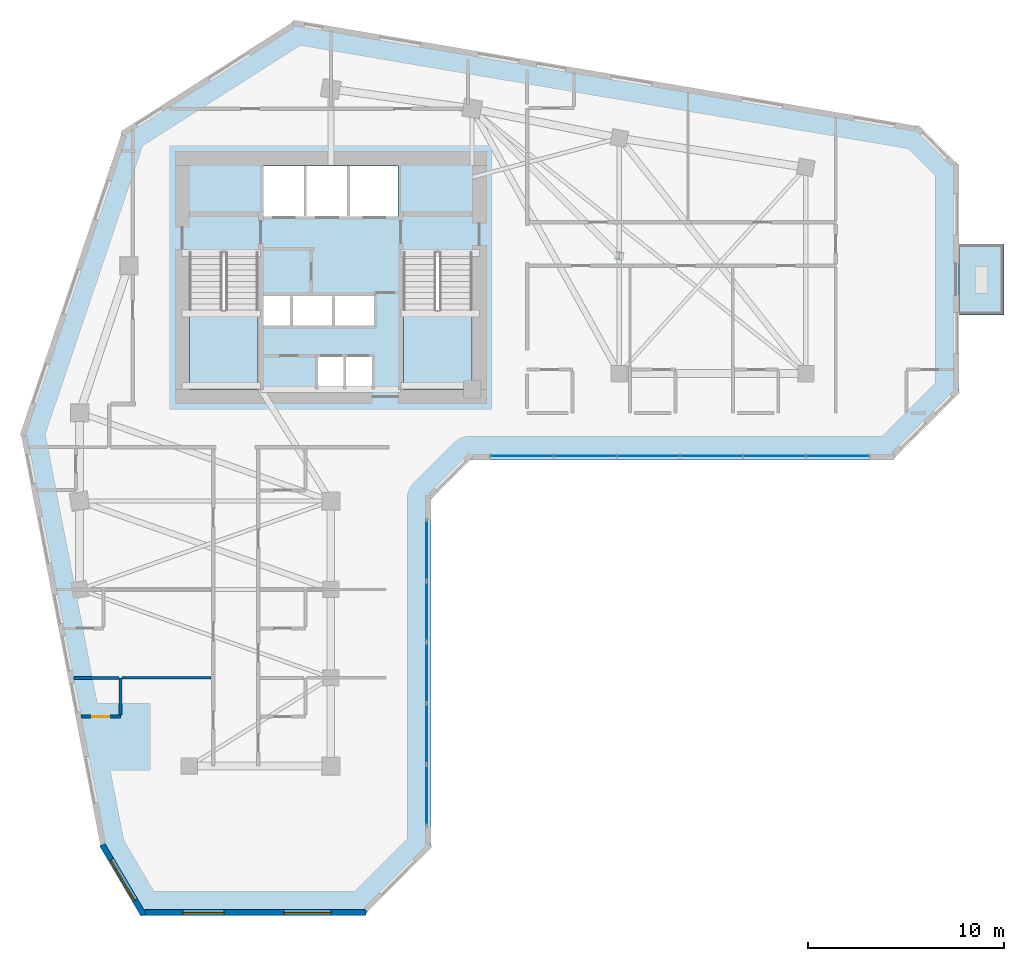
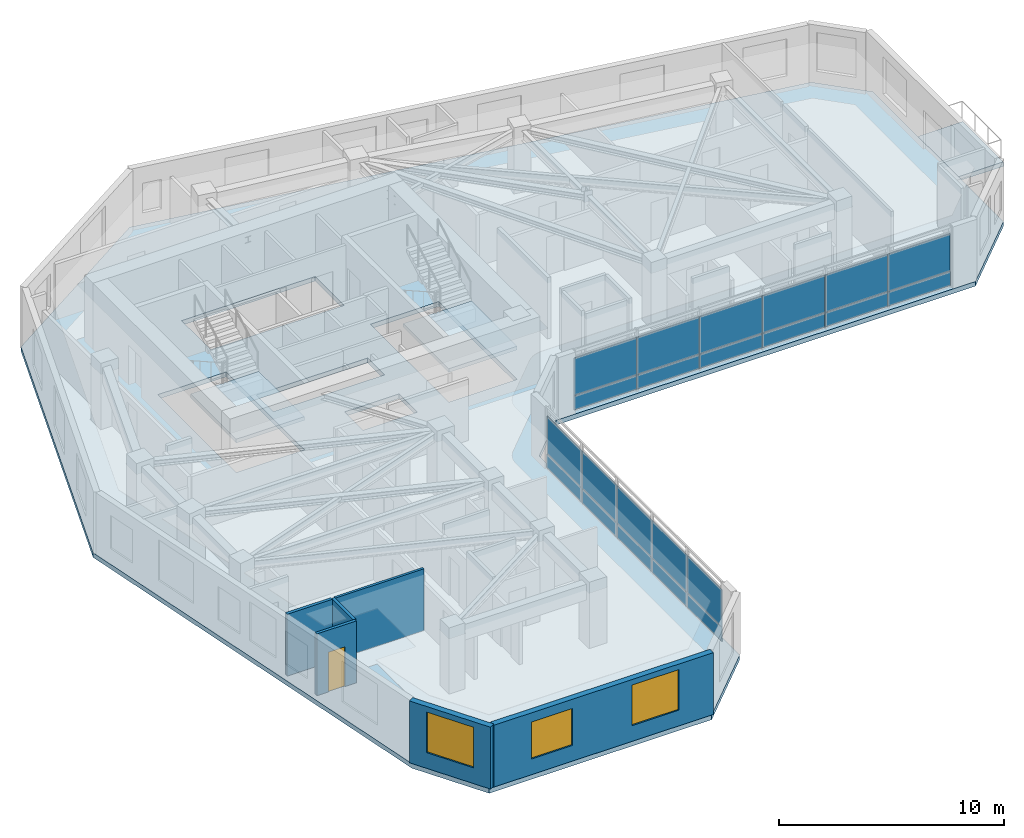
# One storey, part 4 of 14: 22 plates, 6 walls, 4 slabs, 3 windows, 1 door, 4 openings, 4 elements without a shape of their own.
"""IFC4 building model written with IfcOpenShell, lengths in metres."""

import ifcopenshell
import ifcopenshell.guid

model = None  # the IFC model being written
_history = None  # IfcOwnerHistory: only IFC2X3 demands one
_inside = {}  # id of a spatial element -> (the spatial element, [elements in it])
_under = {}  # id of a project, library or spatial element -> (it, [spatial elements below it])
_declared = {}  # id of a project -> (the project, [libraries it declares])
_typed = {}  # id of a type object -> (the type object, [elements of that type])
_made_of = {}  # id of a material, layer set ... -> (it, [elements and type objects made of it])


def new_model(schema):
    """Start an empty IFC model of exactly this schema.

    Asked for "IFC4X3", IfcOpenShell would pick the latest addendum, in which some entities
    have other attributes; the version numbers below select the first issue.
    IFC2X3 requires an IfcOwnerHistory on every rooted entity: one is made here for all.
    """
    global model, _history
    if schema == "IFC4X3":
        model = ifcopenshell.file(schema_version=(4, 3, 0, 0))
    else:
        model = ifcopenshell.file(schema=schema)
    _inside.clear()
    _under.clear()
    _declared.clear()
    _typed.clear()
    _made_of.clear()
    _history = None
    if model.schema == "IFC2X3":
        org = make("IfcOrganization", Name="unknown")
        user = make(
            "IfcPersonAndOrganization",
            ThePerson=make("IfcPerson", FamilyName="unknown"),
            TheOrganization=org,
        )
        app = make(
            "IfcApplication",
            ApplicationDeveloper=org,
            Version="unknown",
            ApplicationFullName="unknown",
            ApplicationIdentifier="unknown",
        )
        _history = make(
            "IfcOwnerHistory",
            OwningUser=user,
            OwningApplication=app,
            ChangeAction="ADDED",
            CreationDate=0,
        )
    return model


def make(cls, **values):
    """One entity of the class cls with the attributes given. An attribute that is None is left unset."""
    return model.create_entity(
        cls, **{name: value for name, value in values.items() if value is not None}
    )


def rooted(cls, **values):
    """An entity with a GlobalId (a new one), such as an element, a storey or a relation."""
    return make(cls, GlobalId=ifcopenshell.guid.new(), OwnerHistory=_history, **values)


def si_unit(unit_type, name, prefix=None):
    """IfcSIUnit, for example si_unit("LENGTHUNIT", "METRE", prefix="MILLI")."""
    return make("IfcSIUnit", UnitType=unit_type, Prefix=prefix, Name=name)


def assignment(units):
    """IfcUnitAssignment: the units of a project."""
    return None if units is None else make("IfcUnitAssignment", Units=units)


def point(xyz):
    """IfcCartesianPoint."""
    return None if xyz is None else make("IfcCartesianPoint", Coordinates=xyz)


def direction(xyz):
    """IfcDirection."""
    return None if xyz is None else make("IfcDirection", DirectionRatios=xyz)


def frame(location, z_axis=None, x_axis=None):
    """IfcAxis2Placement3D, a coordinate frame: its origin and axes. An axis left out is left unset."""
    return make(
        "IfcAxis2Placement3D",
        Location=point(location),
        Axis=direction(z_axis),
        RefDirection=direction(x_axis),
    )


def frame_2d(location, x_axis=None):
    """IfcAxis2Placement2D, a coordinate frame in the plane: its origin and x axis."""
    return make(
        "IfcAxis2Placement2D", Location=point(location), RefDirection=direction(x_axis)
    )


def origin():
    """The frame at (0, 0, 0) with its axes left unset."""
    return frame((0.0, 0.0, 0.0))


def place(relative_to, where):
    """IfcLocalPlacement: puts the frame where relative to a parent placement (None: the world)."""
    return make(
        "IfcLocalPlacement", PlacementRelTo=relative_to, RelativePlacement=where
    )


def context(
    kind, dimensions, precision=None, world=None, true_north=None, identifier=None
):
    """IfcGeometricRepresentationContext, for example the 3D "Model" context."""
    return make(
        "IfcGeometricRepresentationContext",
        ContextIdentifier=identifier,
        ContextType=kind,
        CoordinateSpaceDimension=dimensions,
        Precision=precision,
        WorldCoordinateSystem=world,
        TrueNorth=true_north,
    )


def subcontext(parent, identifier, kind, view, scale=None):
    """IfcGeometricRepresentationSubContext, for example "Body" below "Model"."""
    return make(
        "IfcGeometricRepresentationSubContext",
        ContextIdentifier=identifier,
        ContextType=kind,
        ParentContext=parent,
        TargetScale=scale,
        TargetView=view,
    )


def project(units=None, contexts=None):
    """IfcProject with its units and contexts."""
    return rooted(
        "IfcProject",
        Name="project",
        RepresentationContexts=contexts,
        UnitsInContext=assignment(units),
    )


def spatial(cls, under=None, at=None, **own):
    """A site, building, storey or space (cls), placed at a placement, below another one or the project."""
    s = rooted(cls, ObjectPlacement=at, **own)
    if under is not None:
        _under.setdefault(under.id(), (under, []))[1].append(s)
    return s


def polyline(points):
    """IfcPolyline through the points."""
    return make("IfcPolyline", Points=[point(p) for p in points])


def profile(cls, at=None, kind="AREA", **sizes):
    """A parametric profile (cls). Its sizes go by their IFC names, for example OverallWidth=200.0."""
    return make(cls, ProfileType=kind, Position=at, **sizes)


def rectangle(**sizes):
    """IfcRectangleProfileDef."""
    return profile("IfcRectangleProfileDef", **sizes)


def outline(outer, holes=None, kind="AREA"):
    """IfcArbitraryClosedProfileDef: a profile drawn as a closed curve; with holes, ...WithVoids."""
    if holes is None:
        return make("IfcArbitraryClosedProfileDef", ProfileType=kind, OuterCurve=outer)
    return make(
        "IfcArbitraryProfileDefWithVoids",
        ProfileType=kind,
        OuterCurve=outer,
        InnerCurves=holes,
    )


def extrude(swept, where, along, depth):
    """IfcExtrudedAreaSolid: the profile swept, set in the frame where, extruded along a direction by depth."""
    return make(
        "IfcExtrudedAreaSolid",
        SweptArea=swept,
        Position=where,
        ExtrudedDirection=direction(along),
        Depth=depth,
    )


def shape(context_of_items, identifier, shape_type, items):
    """IfcShapeRepresentation: the items that make up one representation, for example the "Body"."""
    return make(
        "IfcShapeRepresentation",
        ContextOfItems=context_of_items,
        RepresentationIdentifier=identifier,
        RepresentationType=shape_type,
        Items=items,
    )


def source(mapping_origin, context_of_items, identifier, shape_type, items):
    """IfcRepresentationMap: a shape defined once, which mapped items show again and again."""
    return make(
        "IfcRepresentationMap",
        MappingOrigin=mapping_origin,
        MappedRepresentation=shape(context_of_items, identifier, shape_type, items),
    )


def transform(
    local_origin,
    x_axis=None,
    y_axis=None,
    z_axis=None,
    scale=None,
    scale2=None,
    scale3=None,
    uniform=True,
):
    """IfcCartesianTransformationOperator3D, or its non-uniform kind. x_axis, y_axis, z_axis: its Axis1, 2, 3."""
    if uniform:
        return make(
            "IfcCartesianTransformationOperator3D",
            Axis1=direction(x_axis),
            Axis2=direction(y_axis),
            LocalOrigin=point(local_origin),
            Scale=scale,
            Axis3=direction(z_axis),
        )
    return make(
        "IfcCartesianTransformationOperator3DnonUniform",
        Axis1=direction(x_axis),
        Axis2=direction(y_axis),
        LocalOrigin=point(local_origin),
        Scale=scale,
        Axis3=direction(z_axis),
        Scale2=scale2,
        Scale3=scale3,
    )


def mapped(mapping_source, mapping_target):
    """IfcMappedItem: shows the shape of a source again, moved by a transform."""
    return make(
        "IfcMappedItem", MappingSource=mapping_source, MappingTarget=mapping_target
    )


def material(Name=None, Category=None):
    """IfcMaterial."""
    return make("IfcMaterial", Name=Name, Category=Category)


def layer(
    of_material, thickness, ventilated=None, Name=None, Category=None, Priority=None
):
    """IfcMaterialLayer: one layer of a wall or slab, of a material (None: an air gap)."""
    return make(
        "IfcMaterialLayer",
        Material=of_material,
        LayerThickness=thickness,
        IsVentilated=ventilated,
        Name=Name,
        Category=Category,
        Priority=Priority,
    )


def layer_set(layers, Name=None):
    """IfcMaterialLayerSet."""
    return make("IfcMaterialLayerSet", MaterialLayers=layers, LayerSetName=Name)


def made_of(thing, what):
    """Note that an element or type object is made of a material, layer set ...; save() writes the relation."""
    if what is not None:
        _made_of.setdefault(what.id(), (what, []))[1].append(thing)
    return thing


def type_object(cls, material=None, **own):
    """A type object (cls), such as IfcWallType, which elements share."""
    return made_of(rooted(cls, **own), material)


def element(
    cls,
    number,
    at=None,
    inside=None,
    cuts=None,
    type_object=None,
    material=None,
    context=None,
    identifier="Body",
    shape_type=None,
    held_by="IfcProductDefinitionShape",
    body=None,
    shapes=None,
    **own,
):
    """One element of the class cls, such as IfcWall. Its Tag is "e" and its number.

    at: its placement. inside: the storey or other place that contains it. cuts: it is an
    opening in that element (IfcRelVoidsElement). A single representation is given by context,
    identifier, shape_type and body (its items); several are given by shapes. held_by: the class
    of the entity that holds the representations. save() writes the other relations.
    """
    e = rooted(cls, Tag="e%d" % number, ObjectPlacement=at, **own)
    if body is not None:
        shapes = [shape(context, identifier, shape_type, body)]
    if shapes is not None:
        e.Representation = make(held_by, Representations=shapes)
    if inside is not None:
        _inside.setdefault(inside.id(), (inside, []))[1].append(e)
    if cuts is not None:
        rooted(
            "IfcRelVoidsElement", RelatingBuildingElement=cuts, RelatedOpeningElement=e
        )
    if type_object is not None:
        _typed.setdefault(type_object.id(), (type_object, []))[1].append(e)
    return made_of(e, material)


def fill(opening, filler):
    """IfcRelFillsElement: the door or window that sits in an opening."""
    return rooted(
        "IfcRelFillsElement",
        RelatingOpeningElement=opening,
        RelatedBuildingElement=filler,
    )


def aggregate(whole, parts):
    """IfcRelAggregates: a whole, such as a stair, and the parts it consists of."""
    return rooted("IfcRelAggregates", RelatingObject=whole, RelatedObjects=parts)


def save(model, path):
    """Write the relations noted so far, then the file.

    IfcRelAggregates (storeys below a building ...), IfcRelContainedInSpatialStructure (elements
    in a storey), IfcRelDefinesByType, IfcRelAssociatesMaterial and IfcRelDeclares: one each for
    every whole, place, type object, material and project.
    """
    for whole, parts in _under.values():
        aggregate(whole, parts)
    for where, things in _inside.values():
        rooted(
            "IfcRelContainedInSpatialStructure",
            RelatedElements=things,
            RelatingStructure=where,
        )
    for kind, things in _typed.values():
        rooted("IfcRelDefinesByType", RelatedObjects=things, RelatingType=kind)
    for what, things in _made_of.values():
        rooted("IfcRelAssociatesMaterial", RelatedObjects=things, RelatingMaterial=what)
    for by, libraries in _declared.values():
        rooted("IfcRelDeclares", RelatingContext=by, RelatedDefinitions=libraries)
    model.write(path)


model = new_model("IFC4")

# Units and contexts
model_context = context("Model", 3, precision=1e-05, world=origin(), true_north=direction((0.0, 1.0)))
body_context = subcontext(model_context, "Body", "Model", "MODEL_VIEW")
ifc_project = project(units=[si_unit("LENGTHUNIT", "METRE"), si_unit("AREAUNIT", "SQUARE_METRE"), si_unit("VOLUMEUNIT", "CUBIC_METRE"), si_unit("PLANEANGLEUNIT", "RADIAN"), si_unit("MASSUNIT", "GRAM", prefix="KILO")], contexts=[model_context])

# Site, building, storey
site_placement = place(None, origin())
site = spatial("IfcSite", under=ifc_project, at=site_placement, CompositionType="ELEMENT")
building_placement = place(site_placement, origin())
building = spatial("IfcBuilding", under=site, at=building_placement, Name="Calvemar Wedge Station Tower", CompositionType="ELEMENT")
storey_placement = place(building_placement, frame((0.0, 0.0, 128.60009765625)))
storey = spatial("IfcBuildingStorey", under=building, at=storey_placement, Name="L31", CompositionType="ELEMENT", Elevation=128.60009765625)

# Curtain wall, plates
ifc_material_1 = material(Name="Anodised aluminium 6063-T6", Category="aluminium")
curtain_wall_type = type_object("IfcCurtainWallType", Name="CW2", PredefinedType="NOTDEFINED", material=ifc_material_1)
curtain_wall_1_placement = place(storey_placement, origin())
curtain_wall_1 = element("IfcCurtainWall", 1, at=curtain_wall_1_placement, inside=storey, type_object=curtain_wall_type, Name="Storey L31 CW2 Recessed Unitised Curtain Wall 4", PredefinedType="NOTDEFINED")
ifc_material_2 = material(Name="Low-E laminated insulated glass", Category="glass")
ifc_layer_1 = layer(ifc_material_2, 0.028076171875)
ifc_layer_set_1 = layer_set([ifc_layer_1], Name="Low-E laminated insulated glass")
plate_type_1 = type_object("IfcPlateType", Name="CW2-GLZ", PredefinedType="CURTAIN_PANEL", material=ifc_layer_set_1)
plate_1_placement = place(storey_placement, frame((28.68603515625, 11.97998046875, 0.869873046875), z_axis=(0.0, 0.0, 1.0), x_axis=(0.0, 1.0, 0.0)))
plate_1 = element("IfcPlate", 2, at=plate_1_placement, type_object=plate_type_1, Name="CW2 vision glass panel 1", PredefinedType="CURTAIN_PANEL", context=body_context, shape_type="SweptSolid", body=[
    extrude(rectangle(XDim=3.08251953125, YDim=0.028076171875, at=frame_2d((1.541259765625, 0.0))), origin(), (0.0, 0.0, 1.0), 2.010009765625),
])
plate_2_placement = place(storey_placement, frame((28.68603515625, 15.098388671875, 0.869873046875), z_axis=(0.0, 0.0, 1.0), x_axis=(0.0, 1.0, 0.0)))
plate_2 = element("IfcPlate", 3, at=plate_2_placement, type_object=plate_type_1, Name="CW2 vision glass panel 2", PredefinedType="CURTAIN_PANEL", context=body_context, shape_type="SweptSolid", body=[
    extrude(rectangle(XDim=3.08251953125, YDim=0.028076171875, at=frame_2d((1.541259765625, 0.0))), origin(), (0.0, 0.0, 1.0), 2.010009765625),
])
plate_3_placement = place(storey_placement, frame((28.68603515625, 18.216796875, 0.869873046875), z_axis=(0.0, 0.0, 1.0), x_axis=(0.0, 1.0, 0.0)))
plate_3 = element("IfcPlate", 4, at=plate_3_placement, type_object=plate_type_1, Name="CW2 vision glass panel 3", PredefinedType="CURTAIN_PANEL", context=body_context, shape_type="SweptSolid", body=[
    extrude(rectangle(XDim=3.08251953125, YDim=0.028076171875, at=frame_2d((1.541259765625, 0.0))), origin(), (0.0, 0.0, 1.0), 2.010009765625),
])
plate_4_placement = place(storey_placement, frame((28.68603515625, 21.335205078125, 0.869873046875), z_axis=(0.0, 0.0, 1.0), x_axis=(0.0, 1.0, 0.0)))
plate_4 = element("IfcPlate", 5, at=plate_4_placement, type_object=plate_type_1, Name="CW2 vision glass panel 4", PredefinedType="CURTAIN_PANEL", context=body_context, shape_type="SweptSolid", body=[
    extrude(rectangle(XDim=3.08251953125, YDim=0.028076171875, at=frame_2d((1.541259765625, 0.0))), origin(), (0.0, 0.0, 1.0), 2.010009765625),
])
plate_5_placement = place(storey_placement, frame((28.68603515625, 24.45361328125, 0.869873046875), z_axis=(0.0, 0.0, 1.0), x_axis=(0.0, 1.0, 0.0)))
plate_5 = element("IfcPlate", 6, at=plate_5_placement, type_object=plate_type_1, Name="CW2 vision glass panel 5", PredefinedType="CURTAIN_PANEL", context=body_context, shape_type="SweptSolid", body=[
    extrude(rectangle(XDim=3.08251953125, YDim=0.028076171875, at=frame_2d((1.541259765625, 0.0))), origin(), (0.0, 0.0, 1.0), 2.010009765625),
])

curtain_wall_2_placement = place(storey_placement, origin())
curtain_wall_2 = element("IfcCurtainWall", 7, at=curtain_wall_2_placement, inside=storey, type_object=curtain_wall_type, Name="Storey L31 CW2 Recessed Unitised Curtain Wall 6", PredefinedType="NOTDEFINED")
plate_6_placement = place(storey_placement, frame((31.951904296875, 30.802001953125, 0.869873046875), z_axis=(0.0, 0.0, 1.0), x_axis=(1.0, 0.0, 0.0)))
plate_6 = element("IfcPlate", 8, at=plate_6_placement, type_object=plate_type_1, Name="CW2 vision glass panel 1", PredefinedType="CURTAIN_PANEL", context=body_context, shape_type="SweptSolid", body=[
    extrude(rectangle(XDim=3.181396484375, YDim=0.028076171875, at=frame_2d((1.5908203125, 0.0))), origin(), (0.0, 0.0, 1.0), 2.010009765625),
])
plate_7_placement = place(storey_placement, frame((35.169189453125, 30.802001953125, 0.869873046875), z_axis=(0.0, 0.0, 1.0), x_axis=(1.0, 0.0, 0.0)))
plate_7 = element("IfcPlate", 9, at=plate_7_placement, type_object=plate_type_1, Name="CW2 vision glass panel 2", PredefinedType="CURTAIN_PANEL", context=body_context, shape_type="SweptSolid", body=[
    extrude(rectangle(XDim=3.181396484375, YDim=0.028076171875, at=frame_2d((1.5908203125, 0.0))), origin(), (0.0, 0.0, 1.0), 2.010009765625),
])
plate_8_placement = place(storey_placement, frame((38.38671875, 30.802001953125, 0.869873046875), z_axis=(0.0, 0.0, 1.0), x_axis=(1.0, 0.0, 0.0)))
plate_8 = element("IfcPlate", 10, at=plate_8_placement, type_object=plate_type_1, Name="CW2 vision glass panel 3", PredefinedType="CURTAIN_PANEL", context=body_context, shape_type="SweptSolid", body=[
    extrude(rectangle(XDim=3.18115234375, YDim=0.028076171875, at=frame_2d((1.590576171875, 0.0))), origin(), (0.0, 0.0, 1.0), 2.010009765625),
])
plate_9_placement = place(storey_placement, frame((41.60400390625, 30.802001953125, 0.869873046875), z_axis=(0.0, 0.0, 1.0), x_axis=(1.0, 0.0, 0.0)))
plate_9 = element("IfcPlate", 11, at=plate_9_placement, type_object=plate_type_1, Name="CW2 vision glass panel 4", PredefinedType="CURTAIN_PANEL", context=body_context, shape_type="SweptSolid", body=[
    extrude(rectangle(XDim=3.18115234375, YDim=0.028076171875, at=frame_2d((1.590576171875, 0.0))), origin(), (0.0, 0.0, 1.0), 2.010009765625),
])
plate_10_placement = place(storey_placement, frame((44.8212890625, 30.802001953125, 0.869873046875), z_axis=(0.0, 0.0, 1.0), x_axis=(1.0, 0.0, 0.0)))
plate_10 = element("IfcPlate", 12, at=plate_10_placement, type_object=plate_type_1, Name="CW2 vision glass panel 5", PredefinedType="CURTAIN_PANEL", context=body_context, shape_type="SweptSolid", body=[
    extrude(rectangle(XDim=3.181396484375, YDim=0.028076171875, at=frame_2d((1.5908203125, 0.0))), origin(), (0.0, 0.0, 1.0), 2.010009765625),
])
plate_11_placement = place(storey_placement, frame((48.03857421875, 30.802001953125, 0.869873046875), z_axis=(0.0, 0.0, 1.0), x_axis=(1.0, 0.0, 0.0)))
plate_11 = element("IfcPlate", 13, at=plate_11_placement, type_object=plate_type_1, Name="CW2 vision glass panel 6", PredefinedType="CURTAIN_PANEL", context=body_context, shape_type="SweptSolid", body=[
    extrude(rectangle(XDim=3.181396484375, YDim=0.028076171875, at=frame_2d((1.5908203125, 0.0))), origin(), (0.0, 0.0, 1.0), 2.010009765625),
])

# Plate
ifc_material_3 = material(Name="Oxidized bronze aluminium spandrel panel 5005-H24", Category="aluminium")
ifc_layer_2 = layer(ifc_material_3, 0.0400390625)
ifc_layer_set_2 = layer_set([ifc_layer_2], Name="Oxidized bronze aluminium spandrel panel 5005-H24")
plate_type_2 = type_object("IfcPlateType", Name="CW2-SPD", PredefinedType="SHEET", material=ifc_layer_set_2)
plate_12_placement = place(storey_placement, frame((28.68603515625, 11.97998046875, 0.079833984375), z_axis=(0.0, 0.0, 1.0), x_axis=(0.0, 1.0, 0.0)))
plate_12 = element("IfcPlate", 14, at=plate_12_placement, type_object=plate_type_2, Name="CW2 bronze spandrel panel 1", PredefinedType="SHEET", context=body_context, shape_type="SweptSolid", body=[
    extrude(rectangle(XDim=3.08251953125, YDim=0.0400390625, at=frame_2d((1.541259765625, 0.0))), origin(), (0.0, 0.0, 1.0), 0.75),
])

plate_13_placement = place(storey_placement, frame((28.68603515625, 15.098388671875, 0.079833984375), z_axis=(0.0, 0.0, 1.0), x_axis=(0.0, 1.0, 0.0)))
plate_13 = element("IfcPlate", 15, at=plate_13_placement, type_object=plate_type_2, Name="CW2 bronze spandrel panel 2", PredefinedType="SHEET", context=body_context, shape_type="SweptSolid", body=[
    extrude(rectangle(XDim=3.08251953125, YDim=0.0400390625, at=frame_2d((1.541259765625, 0.0))), origin(), (0.0, 0.0, 1.0), 0.75),
])

plate_14_placement = place(storey_placement, frame((28.68603515625, 18.216796875, 0.079833984375), z_axis=(0.0, 0.0, 1.0), x_axis=(0.0, 1.0, 0.0)))
plate_14 = element("IfcPlate", 16, at=plate_14_placement, type_object=plate_type_2, Name="CW2 bronze spandrel panel 3", PredefinedType="SHEET", context=body_context, shape_type="SweptSolid", body=[
    extrude(rectangle(XDim=3.08251953125, YDim=0.0400390625, at=frame_2d((1.541259765625, 0.0))), origin(), (0.0, 0.0, 1.0), 0.75),
])

plate_15_placement = place(storey_placement, frame((28.68603515625, 21.335205078125, 0.079833984375), z_axis=(0.0, 0.0, 1.0), x_axis=(0.0, 1.0, 0.0)))
plate_15 = element("IfcPlate", 17, at=plate_15_placement, type_object=plate_type_2, Name="CW2 bronze spandrel panel 4", PredefinedType="SHEET", context=body_context, shape_type="SweptSolid", body=[
    extrude(rectangle(XDim=3.08251953125, YDim=0.0400390625, at=frame_2d((1.541259765625, 0.0))), origin(), (0.0, 0.0, 1.0), 0.75),
])

plate_16_placement = place(storey_placement, frame((28.68603515625, 24.45361328125, 0.079833984375), z_axis=(0.0, 0.0, 1.0), x_axis=(0.0, 1.0, 0.0)))
plate_16 = element("IfcPlate", 18, at=plate_16_placement, type_object=plate_type_2, Name="CW2 bronze spandrel panel 5", PredefinedType="SHEET", context=body_context, shape_type="SweptSolid", body=[
    extrude(rectangle(XDim=3.08251953125, YDim=0.0400390625, at=frame_2d((1.541259765625, 0.0))), origin(), (0.0, 0.0, 1.0), 0.75),
])

aggregate(curtain_wall_1, [plate_12, plate_1, plate_13, plate_2, plate_14, plate_3, plate_15, plate_4, plate_16, plate_5])

plate_17_placement = place(storey_placement, frame((31.951904296875, 30.802001953125, 0.079833984375), z_axis=(0.0, 0.0, 1.0), x_axis=(1.0, 0.0, 0.0)))
plate_17 = element("IfcPlate", 19, at=plate_17_placement, type_object=plate_type_2, Name="CW2 bronze spandrel panel 1", PredefinedType="SHEET", context=body_context, shape_type="SweptSolid", body=[
    extrude(rectangle(XDim=3.181396484375, YDim=0.0400390625, at=frame_2d((1.5908203125, 0.0))), origin(), (0.0, 0.0, 1.0), 0.75),
])

plate_18_placement = place(storey_placement, frame((35.169189453125, 30.802001953125, 0.079833984375), z_axis=(0.0, 0.0, 1.0), x_axis=(1.0, 0.0, 0.0)))
plate_18 = element("IfcPlate", 20, at=plate_18_placement, type_object=plate_type_2, Name="CW2 bronze spandrel panel 2", PredefinedType="SHEET", context=body_context, shape_type="SweptSolid", body=[
    extrude(rectangle(XDim=3.181396484375, YDim=0.0400390625, at=frame_2d((1.5908203125, 0.0))), origin(), (0.0, 0.0, 1.0), 0.75),
])

plate_19_placement = place(storey_placement, frame((38.38671875, 30.802001953125, 0.079833984375), z_axis=(0.0, 0.0, 1.0), x_axis=(1.0, 0.0, 0.0)))
plate_19 = element("IfcPlate", 21, at=plate_19_placement, type_object=plate_type_2, Name="CW2 bronze spandrel panel 3", PredefinedType="SHEET", context=body_context, shape_type="SweptSolid", body=[
    extrude(rectangle(XDim=3.18115234375, YDim=0.0400390625, at=frame_2d((1.590576171875, 0.0))), origin(), (0.0, 0.0, 1.0), 0.75),
])

plate_20_placement = place(storey_placement, frame((41.60400390625, 30.802001953125, 0.079833984375), z_axis=(0.0, 0.0, 1.0), x_axis=(1.0, 0.0, 0.0)))
plate_20 = element("IfcPlate", 22, at=plate_20_placement, type_object=plate_type_2, Name="CW2 bronze spandrel panel 4", PredefinedType="SHEET", context=body_context, shape_type="SweptSolid", body=[
    extrude(rectangle(XDim=3.18115234375, YDim=0.0400390625, at=frame_2d((1.590576171875, 0.0))), origin(), (0.0, 0.0, 1.0), 0.75),
])

plate_21_placement = place(storey_placement, frame((44.8212890625, 30.802001953125, 0.079833984375), z_axis=(0.0, 0.0, 1.0), x_axis=(1.0, 0.0, 0.0)))
plate_21 = element("IfcPlate", 23, at=plate_21_placement, type_object=plate_type_2, Name="CW2 bronze spandrel panel 5", PredefinedType="SHEET", context=body_context, shape_type="SweptSolid", body=[
    extrude(rectangle(XDim=3.181396484375, YDim=0.0400390625, at=frame_2d((1.5908203125, 0.0))), origin(), (0.0, 0.0, 1.0), 0.75),
])

plate_22_placement = place(storey_placement, frame((48.03857421875, 30.802001953125, 0.079833984375), z_axis=(0.0, 0.0, 1.0), x_axis=(1.0, 0.0, 0.0)))
plate_22 = element("IfcPlate", 24, at=plate_22_placement, type_object=plate_type_2, Name="CW2 bronze spandrel panel 6", PredefinedType="SHEET", context=body_context, shape_type="SweptSolid", body=[
    extrude(rectangle(XDim=3.181396484375, YDim=0.0400390625, at=frame_2d((1.5908203125, 0.0))), origin(), (0.0, 0.0, 1.0), 0.75),
])

aggregate(curtain_wall_2, [plate_17, plate_6, plate_18, plate_7, plate_19, plate_8, plate_20, plate_9, plate_21, plate_10, plate_22, plate_11])

# Stair, slab
ifc_material_4 = material(Name="Concrete C45", Category="concrete")
stair_type = type_object("IfcStairType", Name="ST-TYPE-3600", PredefinedType="HALF_TURN_STAIR", material=ifc_material_4)
stair_1_placement = place(storey_placement, origin())
stair_1 = element("IfcStair", 25, at=stair_1_placement, inside=storey, type_object=stair_type, Name="L31 Pressurized Core Exit Stair ST-C1", PredefinedType="HALF_TURN_STAIR")
ifc_layer_3 = layer(ifc_material_4, 0.199951171875)
ifc_layer_set_3 = layer_set([ifc_layer_3], Name="Concrete C45")
slab_type_1 = type_object("IfcSlabType", Name="SL-STAIR-LND-200", PredefinedType="LANDING", material=ifc_layer_set_3)
slab_1_placement = place(storey_placement, frame((0.0, 0.0, 1.599853515625)))
slab_1 = element("IfcSlab", 26, at=slab_1_placement, type_object=slab_type_1, Name="ST-C1 landing 1", PredefinedType="LANDING", context=body_context, shape_type="SweptSolid", body=[
    extrude(outline(polyline([(16.60009765625, 38.25), (16.60009765625, 34.199951171875), (20.10009765625, 34.199951171875), (20.10009765625, 38.25), (16.60009765625, 38.25)])), origin(), (0.0, 0.0, 1.0), 0.199951171875),
])
aggregate(stair_1, [slab_1])

stair_2_placement = place(storey_placement, origin())
stair_2 = element("IfcStair", 27, at=stair_2_placement, inside=storey, type_object=stair_type, Name="L31 Pressurized Core Exit Stair ST-C2", PredefinedType="HALF_TURN_STAIR")
slab_2_placement = place(storey_placement, frame((0.0, 0.0, 1.599853515625)))
slab_2 = element("IfcSlab", 28, at=slab_2_placement, type_object=slab_type_1, Name="ST-C2 landing 1", PredefinedType="LANDING", context=body_context, shape_type="SweptSolid", body=[
    extrude(outline(polyline([(27.5, 38.25), (27.5, 34.199951171875), (31.0, 34.199951171875), (31.0, 38.25), (27.5, 38.25)])), origin(), (0.0, 0.0, 1.0), 0.199951171875),
])
aggregate(stair_2, [slab_2])

# Slabs
ifc_layer_4 = layer(ifc_material_4, 0.239990234375)
ifc_layer_set_4 = layer_set([ifc_layer_4], Name="Concrete C45")
slab_type_2 = type_object("IfcSlabType", Name="SL-TERR-240", PredefinedType="FLOOR", material=ifc_layer_set_4)
slab_3_placement = place(storey_placement, frame((0.0, 0.0, -0.239990234375)))
element("IfcSlab", 29, at=slab_3_placement, inside=storey, type_object=slab_type_2, Name="Storey L31 Planted Spiral Terrace Slab", PredefinedType="FLOOR", context=body_context, shape_type="SweptSolid", body=[
    extrude(outline(polyline([(55.800048828125, 37.991943359375), (58.10009765625, 37.991943359375), (58.10009765625, 41.592041015625), (55.800048828125, 41.592041015625), (55.800048828125, 37.991943359375)])), origin(), (0.0, 0.0, 1.0), 0.239990234375),
])
ifc_material_5 = material(Name="Concrete C50", Category="concrete")
ifc_layer_5 = layer(ifc_material_5, 0.25)
ifc_layer_set_5 = layer_set([ifc_layer_5], Name="Concrete C50")
slab_type_3 = type_object("IfcSlabType", Name="SL-TYP-250", PredefinedType="FLOOR", material=ifc_layer_set_5)
slab_4_placement = place(storey_placement, frame((0.0, 0.0, -0.25)))
element("IfcSlab", 30, at=slab_4_placement, inside=storey, type_object=slab_type_3, Name="Storey L31 Structural Floor Slab", PredefinedType="FLOOR", context=body_context, shape_type="SweptSolid", body=[
    extrude(outline(polyline([(8.0, 32.0), (12.095947265625, 10.800048828125), (14.095947265625, 7.39990234375), (25.49609375, 7.39990234375), (28.89599609375, 10.800048828125), (28.89599609375, 28.592041015625), (30.89599609375, 30.592041015625), (52.39990234375, 30.592041015625), (55.800048828125, 33.991943359375), (55.800048828125, 45.592041015625), (53.800048828125, 47.592041015625), (22.0, 53.0), (13.199951171875, 47.39990234375), (8.0, 32.0)]), holes=[polyline([(24.52001953125, 35.85009765625), (24.510009765625, 35.85009765625), (23.1201171875, 35.85009765625), (23.1201171875, 34.219970703125), (24.510009765625, 34.219970703125), (24.52001953125, 34.219970703125), (25.909912109375, 34.219970703125), (25.909912109375, 35.85009765625), (24.52001953125, 35.85009765625)]), polyline([(16.60009765625, 34.199951171875), (20.10009765625, 34.199951171875), (20.10009765625, 41.14990234375), (16.60009765625, 41.14990234375), (16.60009765625, 34.199951171875)]), polyline([(27.5, 34.199951171875), (31.0, 34.199951171875), (31.0, 41.14990234375), (27.5, 41.14990234375), (27.5, 34.199951171875)]), polyline([(21.800048828125, 38.949951171875), (21.7900390625, 38.949951171875), (20.3798828125, 38.949951171875), (20.3798828125, 37.449951171875), (21.7900390625, 37.449951171875), (21.800048828125, 37.449951171875), (23.929931640625, 37.449951171875), (23.93994140625, 37.449951171875), (26.080078125, 37.449951171875), (26.080078125, 38.949951171875), (23.93994140625, 38.949951171875), (23.929931640625, 38.949951171875), (21.800048828125, 38.949951171875)]), polyline([(27.219970703125, 43.0), (27.219970703125, 45.580078125), (20.3798828125, 45.580078125), (20.3798828125, 43.0), (27.219970703125, 43.0)])]), origin(), (0.0, 0.0, 1.0), 0.25),
])

# Wall, opening, window
ifc_material_6 = material(Name="Precast concrete C45", Category="concrete")
ifc_layer_6 = layer(ifc_material_6, 0.300048828125)
ifc_layer_set_6 = layer_set([ifc_layer_6], Name="Precast concrete C45")
wall_type_1 = type_object("IfcWallType", Name="W-EXT-GFRC-300", PredefinedType="SOLIDWALL", material=ifc_layer_set_6)
wall_1_placement = place(storey_placement, frame((12.162353515625, 10.983154296875, 0.0), z_axis=(0.0, 0.0, 1.0), x_axis=(0.506996893234, -0.861947881401, 0.0)))
wall_1 = element("IfcWall", 31, at=wall_1_placement, inside=storey, type_object=wall_type_1, Name="Storey L31 Bronze GFRC Exterior Wall 1", PredefinedType="SOLIDWALL", context=body_context, shape_type="SweptSolid", body=[
    extrude(rectangle(XDim=4.133056640625, YDim=0.300048828125, at=frame_2d((2.06640625, 0.0))), origin(), (0.0, 0.0, 1.0), 3.349853515625),
])
shared_shape_1 = source(origin(), body_context, "Body", "SweptSolid", [
    extrude(rectangle(XDim=2.39990234375, YDim=2.199951171875, at=frame_2d((1.199951171875, 1.10009765625))), frame((0.0, 0.16015625, 0.0), z_axis=(0.0, -1.0, 0.0), x_axis=(1.0, 0.0, 0.0)), (0.0, 0.0, 1.0), 0.320068359375),
])
opening_1_placement = place(wall_1_placement, frame((0.866943359375, 0.0, 0.85009765625)))
opening_1 = element("IfcOpeningElement", 32, at=opening_1_placement, cuts=wall_1, Name="Opening W1", PredefinedType="OPENING", context=body_context, shape_type="MappedRepresentation", body=[
    mapped(shared_shape_1, transform((0.0, 0.0, 0.0), scale=1.0)),
])
window_type_1 = type_object("IfcWindowType", Name="WIN-EXT-1", PartitioningType="SINGLE_PANEL", PredefinedType="WINDOW", material=ifc_material_2)
shared_shape_2 = source(origin(), body_context, "Body", "SweptSolid", [
    extrude(rectangle(XDim=2.39990234375, YDim=2.199951171875, at=frame_2d((1.199951171875, 1.10009765625))), frame((0.0, -0.014892578125, 0.0), z_axis=(0.0, -1.0, 0.0), x_axis=(1.0, 0.0, 0.0)), (0.0, 0.0, 1.0), 0.06005859375),
])
window_1_placement = place(opening_1_placement, origin())
window_1 = element("IfcWindow", 33, at=window_1_placement, inside=storey, type_object=window_type_1, Name="Storey L31 Recessed Window 1.1", OverallHeight=2.199951171875, OverallWidth=2.39990234375, PartitioningType="SINGLE_PANEL", PredefinedType="WINDOW", context=body_context, shape_type="MappedRepresentation", body=[
    mapped(shared_shape_2, transform((0.0, 0.0, 0.0), scale=1.0)),
])
fill(opening_1, window_1)

# Wall, openings, windows
wall_2_placement = place(storey_placement, frame((14.341796875, 7.550048828125, 0.0), z_axis=(0.0, 0.0, 1.0), x_axis=(1.0, 0.0, 0.0)))
wall_2 = element("IfcWall", 34, at=wall_2_placement, inside=storey, type_object=wall_type_1, Name="Storey L31 Bronze GFRC Exterior Wall 2", PredefinedType="SOLIDWALL", context=body_context, shape_type="SweptSolid", body=[
    extrude(rectangle(XDim=11.2421875, YDim=0.300048828125, at=frame_2d((5.62109375, 0.0))), origin(), (0.0, 0.0, 1.0), 3.349853515625),
])
shared_shape_3 = source(origin(), body_context, "Body", "SweptSolid", [
    extrude(rectangle(XDim=2.10009765625, YDim=2.0, at=frame_2d((1.050048828125, 1.0))), frame((0.0, 0.16015625, 0.0), z_axis=(0.0, -1.0, 0.0), x_axis=(1.0, 0.0, 0.0)), (0.0, 0.0, 1.0), 0.320068359375),
])
opening_2_placement = place(wall_2_placement, frame((1.9208984375, 0.0, 0.85009765625)))
opening_2 = element("IfcOpeningElement", 35, at=opening_2_placement, cuts=wall_2, Name="Opening W4", PredefinedType="OPENING", context=body_context, shape_type="MappedRepresentation", body=[
    mapped(shared_shape_3, transform((0.0, 0.0, 0.0), scale=1.0)),
])
opening_3_placement = place(wall_2_placement, frame((7.072021484375, 0.0, 0.85009765625)))
opening_3 = element("IfcOpeningElement", 36, at=opening_3_placement, cuts=wall_2, Name="Opening W1", PredefinedType="OPENING", context=body_context, shape_type="MappedRepresentation", body=[
    mapped(shared_shape_1, transform((0.0, 0.0, 0.0), scale=1.0)),
])
window_type_2 = type_object("IfcWindowType", Name="WIN-EXT-4", PartitioningType="SINGLE_PANEL", PredefinedType="WINDOW", material=ifc_material_2)
shared_shape_4 = source(origin(), body_context, "Body", "SweptSolid", [
    extrude(rectangle(XDim=2.10009765625, YDim=2.0, at=frame_2d((1.050048828125, 1.0))), frame((0.0, -0.014892578125, 0.0), z_axis=(0.0, -1.0, 0.0), x_axis=(1.0, 0.0, 0.0)), (0.0, 0.0, 1.0), 0.06005859375),
])
window_2_placement = place(opening_2_placement, origin())
window_2 = element("IfcWindow", 37, at=window_2_placement, inside=storey, type_object=window_type_2, Name="Storey L31 Recessed Window 2.1", OverallHeight=2.0, OverallWidth=2.10009765625, PartitioningType="SINGLE_PANEL", PredefinedType="WINDOW", context=body_context, shape_type="MappedRepresentation", body=[
    mapped(shared_shape_4, transform((0.0, 0.0, 0.0), scale=1.0)),
])
fill(opening_2, window_2)
window_3_placement = place(opening_3_placement, origin())
window_3 = element("IfcWindow", 38, at=window_3_placement, inside=storey, type_object=window_type_1, Name="Storey L31 Recessed Window 2.2", OverallHeight=2.199951171875, OverallWidth=2.39990234375, PartitioningType="SINGLE_PANEL", PredefinedType="WINDOW", context=body_context, shape_type="MappedRepresentation", body=[
    mapped(shared_shape_2, transform((0.0, 0.0, 0.0), scale=1.0)),
])
fill(opening_3, window_3)

# Wall
ifc_material_7 = material(Name="Insulated acoustic gypsum stud partition")
ifc_layer_7 = layer(ifc_material_7, 0.125)
ifc_layer_set_7 = layer_set([ifc_layer_7], Name="Insulated acoustic gypsum stud partition")
wall_type_2 = type_object("IfcWallType", Name="W-PART-125", PredefinedType="PARTITIONING", material=ifc_layer_set_7)
wall_3_placement = place(storey_placement, frame((13.1640625, 19.5, 0.0), z_axis=(0.0, 0.0, 1.0), x_axis=(1.0, 0.0, 0.0)))
element("IfcWall", 39, at=wall_3_placement, inside=storey, type_object=wall_type_2, Name="Storey L31 Interior Partition WL-L31-055", PredefinedType="PARTITIONING", context=body_context, shape_type="SweptSolid", body=[
    extrude(rectangle(XDim=4.5419921875, YDim=0.125, at=frame_2d((2.27099609375, 0.0))), origin(), (0.0, 0.0, 1.0), 3.349853515625),
])

# Wall, opening, door
ifc_material_8 = material(Name="Moisture-resistant acoustic bathroom partition")
ifc_layer_8 = layer(ifc_material_8, 0.14990234375)
ifc_layer_set_8 = layer_set([ifc_layer_8], Name="Moisture-resistant acoustic bathroom partition")
wall_type_3 = type_object("IfcWallType", Name="W-WET-150", PredefinedType="PARTITIONING", material=ifc_layer_set_8)
wall_4_placement = place(storey_placement, frame((13.0849609375, 17.52001953125, 0.0), z_axis=(0.0, 0.0, 1.0), x_axis=(-1.0, 0.0, 0.0)))
wall_4 = element("IfcWall", 40, at=wall_4_placement, inside=storey, type_object=wall_type_3, Name="Storey L31 Interior Partition WL-L31-052", PredefinedType="PARTITIONING", context=body_context, shape_type="SweptSolid", body=[
    extrude(rectangle(XDim=2.017578125, YDim=0.14990234375, at=frame_2d((1.0087890625, 0.0))), origin(), (0.0, 0.0, 1.0), 3.349853515625),
])
shared_shape_5 = source(origin(), body_context, "Body", "SweptSolid", [
    extrude(rectangle(XDim=0.85009765625, YDim=2.14990234375, at=frame_2d((0.425048828125, 1.074951171875))), frame((0.0, 0.0849609375, 0.0), z_axis=(0.0, -1.0, 0.0), x_axis=(1.0, 0.0, 0.0)), (0.0, 0.0, 1.0), 0.169921875),
])
opening_4_placement = place(wall_4_placement, frame((0.583740234375, 0.0, 0.0)))
opening_4 = element("IfcOpeningElement", 41, at=opening_4_placement, cuts=wall_4, Name="Opening D-02", PredefinedType="OPENING", context=body_context, shape_type="MappedRepresentation", body=[
    mapped(shared_shape_5, transform((0.0, 0.0, 0.0), scale=1.0)),
])
ifc_material_9 = material(Name="Moisture-sealed bathroom hardwood swing door", Category="wood")
door_type = type_object("IfcDoorType", Name="DR-WET-850", OperationType="NOTDEFINED", PredefinedType="DOOR", material=ifc_material_9)
shared_shape_6 = source(origin(), body_context, "Body", "SweptSolid", [
    extrude(rectangle(XDim=0.85009765625, YDim=2.14990234375, at=frame_2d((0.425048828125, 1.074951171875))), frame((0.0, 0.02490234375, 0.0), z_axis=(0.0, -1.0, 0.0), x_axis=(1.0, 0.0, 0.0)), (0.0, 0.0, 1.0), 0.050048828125),
])
door_placement = place(opening_4_placement, origin())
door = element("IfcDoor", 42, at=door_placement, inside=storey, type_object=door_type, Name="L31 En-Suite Bathroom Door", OperationType="SINGLE_SWING_LEFT", OverallHeight=2.14990234375, OverallWidth=0.85009765625, PredefinedType="DOOR", context=body_context, shape_type="MappedRepresentation", body=[
    mapped(shared_shape_6, transform((0.0, 0.0, 0.0), scale=1.0)),
])
fill(opening_4, door)

# Walls
wall_5_placement = place(storey_placement, frame((13.0849609375, 19.5, 0.0), z_axis=(0.0, 0.0, 1.0), x_axis=(0.0, -1.0, 0.0)))
element("IfcWall", 43, at=wall_5_placement, inside=storey, type_object=wall_type_3, Name="Storey L31 Interior Partition WL-L31-053", PredefinedType="PARTITIONING", context=body_context, shape_type="SweptSolid", body=[
    extrude(rectangle(XDim=1.90087890625, YDim=0.14990234375, at=frame_2d((0.950439453125, 0.0))), origin(), (0.0, 0.0, 1.0), 3.349853515625),
])
wall_6_placement = place(storey_placement, frame((10.68505859375, 19.5, 0.0), z_axis=(0.0, 0.0, 1.0), x_axis=(1.0, 0.0, 0.0)))
element("IfcWall", 44, at=wall_6_placement, inside=storey, type_object=wall_type_3, Name="Storey L31 Interior Partition WL-L31-054", PredefinedType="PARTITIONING", context=body_context, shape_type="SweptSolid", body=[
    extrude(rectangle(XDim=2.321044921875, YDim=0.14990234375, at=frame_2d((1.16064453125, 0.0))), origin(), (0.0, 0.0, 1.0), 3.349853515625),
])

save(model, "model.ifc")
